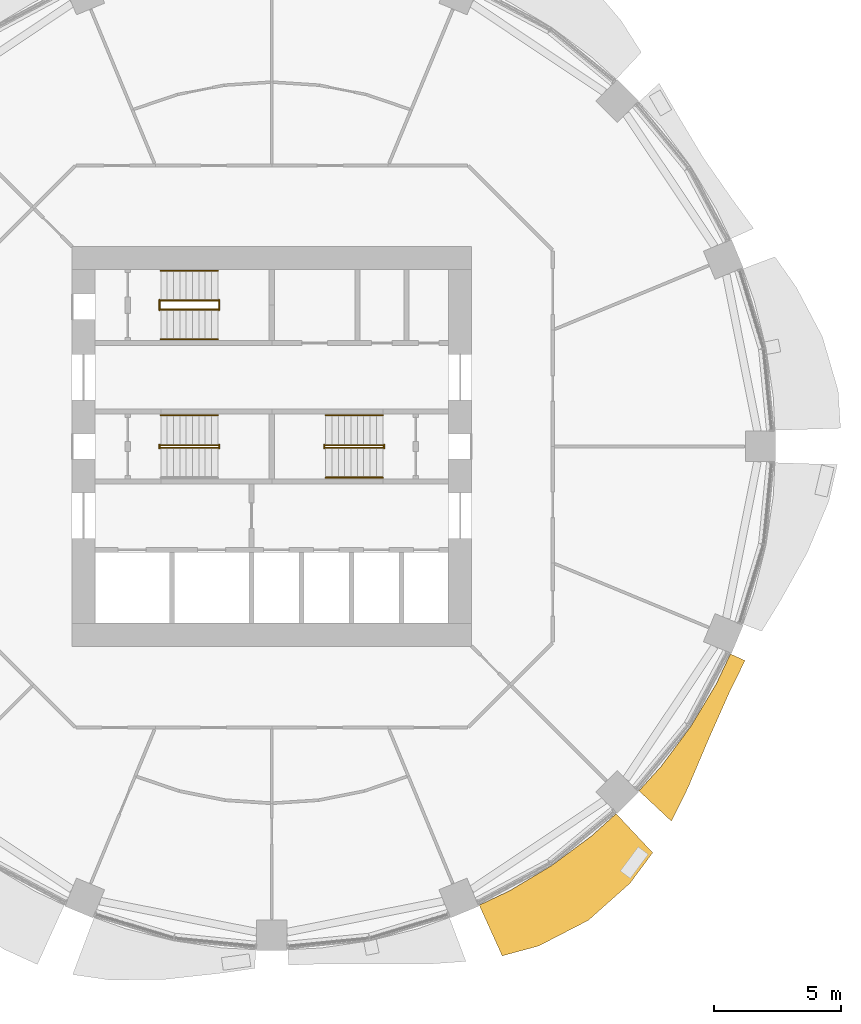
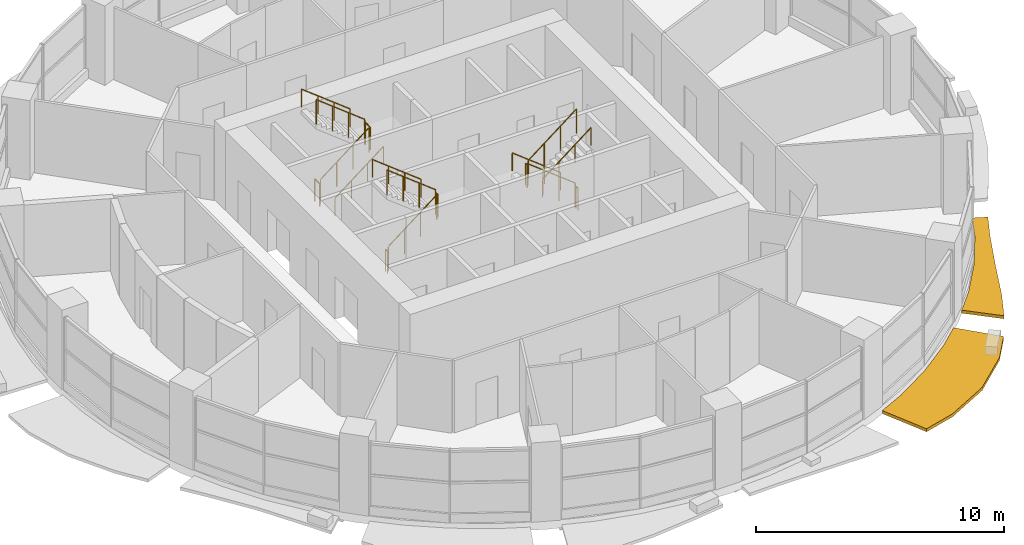
# One storey, part 13 of 15: 17 railings, 2 shading devices.
"""IFC4 building model written with IfcOpenShell, lengths in metres."""

from ifc_helpers import new_model, si_unit, direction, frame, origin, origin_2d, place, context, subcontext, project, spatial, polyline, circle, outline, extrude, material, type_object, element, save


model = new_model("IFC4")

# Units and contexts
model_context = context("Model", 3, precision=1e-05, world=origin(), true_north=direction((0.0, 1.0)))
body_context = subcontext(model_context, "Body", "Model", "MODEL_VIEW")
ifc_project = project(units=[si_unit("LENGTHUNIT", "METRE"), si_unit("AREAUNIT", "SQUARE_METRE"), si_unit("VOLUMEUNIT", "CUBIC_METRE"), si_unit("PLANEANGLEUNIT", "RADIAN"), si_unit("MASSUNIT", "GRAM", prefix="KILO")], contexts=[model_context])

# Site, building, storey
site_placement = place(None, origin())
site = spatial("IfcSite", under=ifc_project, at=site_placement, CompositionType="ELEMENT")
building_placement = place(site_placement, origin())
building = spatial("IfcBuilding", under=site, at=building_placement, Name="Polderwave Tower", CompositionType="ELEMENT")
storey_placement = place(building_placement, frame((0.0, 0.0, 18.5)))
storey = spatial("IfcBuildingStorey", under=building, at=storey_placement, Name="L04", CompositionType="ELEMENT", Elevation=18.5)

# Railings
ifc_material_1 = material(Name="Stainless steel", Category="steel")
railing_type_1 = type_object("IfcRailingType", Name="Stair guard 1100", PredefinedType="GUARDRAIL", material=ifc_material_1)
railing_1_placement = place(storey_placement, frame((-4.3740234375, -0.051025390625, 0.074951171875)))
element("IfcRailing", 1, at=railing_1_placement, inside=storey, type_object=railing_type_1, Name="L04 ST-A stair guard 1", PredefinedType="GUARDRAIL", context=body_context, shape_type="SweptSolid", body=[
    extrude(circle(Radius=0.02392578125, at=origin_2d()), frame((0.0, 0.0, 1.1962890625), z_axis=(0.788522222115, 0.0, 0.615006264384), x_axis=(0.0, 1.0, 0.0)), (0.0, 0.0, 1.0), 2.853515625),
    extrude(circle(Radius=0.02392578125, at=origin_2d()), origin(), (0.0, 0.0, 1.0), 1.172119140625),
    extrude(circle(Radius=0.02392578125, at=origin_2d()), frame((0.75, 0.0, 0.5849609375)), (0.0, 0.0, 1.0), 1.172119140625),
    extrude(circle(Radius=0.02392578125, at=origin_2d()), frame((1.5, 0.0, 1.169921875)), (0.0, 0.0, 1.0), 1.172119140625),
    extrude(circle(Radius=0.02392578125, at=origin_2d()), frame((2.25, 0.0, 1.7548828125)), (0.0, 0.0, 1.0), 1.172119140625),
])
railing_2_placement = place(storey_placement, frame((-2.073974609375, -0.074951171875, 1.949951171875)))
element("IfcRailing", 2, at=railing_2_placement, inside=storey, type_object=railing_type_1, Name="L04 ST-A stair guard 2", PredefinedType="GUARDRAIL", context=body_context, shape_type="SweptSolid", body=[
    extrude(circle(Radius=0.02392578125, at=origin_2d()), frame((0.0, 0.0, 1.076171875), z_axis=(0.0, 1.0, 0.0), x_axis=(-1.0, 0.0, 0.0)), (0.0, 0.0, 1.0), 0.14990234375),
    extrude(circle(Radius=0.02099609375, at=origin_2d()), origin(), (0.0, 0.0, 1.0), 1.052001953125),
    extrude(circle(Radius=0.02099609375, at=origin_2d()), frame((0.0, 0.14990234375, 0.0)), (0.0, 0.0, 1.0), 1.052001953125),
])
railing_3_placement = place(storey_placement, frame((-2.1240234375, 0.051025390625, 2.02490234375)))
element("IfcRailing", 3, at=railing_3_placement, inside=storey, type_object=railing_type_1, Name="L04 ST-A stair guard 3", PredefinedType="GUARDRAIL", context=body_context, shape_type="SweptSolid", body=[
    extrude(circle(Radius=0.02392578125, at=origin_2d()), frame((0.0, 0.0, 1.1962890625), z_axis=(-0.788522222115, 0.0, 0.615006264384), x_axis=(0.0, -1.0, 0.0)), (0.0, 0.0, 1.0), 2.853515625),
    extrude(circle(Radius=0.02392578125, at=origin_2d()), origin(), (0.0, 0.0, 1.0), 1.172119140625),
    extrude(circle(Radius=0.02392578125, at=origin_2d()), frame((-0.75, 0.0, 0.5849609375)), (0.0, 0.0, 1.0), 1.172119140625),
    extrude(circle(Radius=0.02392578125, at=origin_2d()), frame((-1.5, 0.0, 1.169921875)), (0.0, 0.0, 1.0), 1.172119140625),
    extrude(circle(Radius=0.02392578125, at=origin_2d()), frame((-2.25, 0.0, 1.7548828125)), (0.0, 0.0, 1.0), 1.172119140625),
])
railing_4_placement = place(storey_placement, frame((-4.424072265625, -0.074951171875, 0.0)))
element("IfcRailing", 4, at=railing_4_placement, inside=storey, type_object=railing_type_1, Name="L04 ST-A stair guard 4", PredefinedType="GUARDRAIL", context=body_context, shape_type="SweptSolid", body=[
    extrude(circle(Radius=0.02392578125, at=origin_2d()), frame((0.0, 0.0, 1.076171875), z_axis=(0.0, 1.0, 0.0), x_axis=(-1.0, 0.0, 0.0)), (0.0, 0.0, 1.0), 0.14990234375),
    extrude(circle(Radius=0.02099609375, at=origin_2d()), origin(), (0.0, 0.0, 1.0), 1.052001953125),
    extrude(circle(Radius=0.02099609375, at=origin_2d()), frame((0.0, 0.14990234375, 0.0)), (0.0, 0.0, 1.0), 1.052001953125),
])
railing_5_placement = place(storey_placement, frame((4.3740234375, 0.051025390625, 0.074951171875)))
element("IfcRailing", 5, at=railing_5_placement, inside=storey, type_object=railing_type_1, Name="L04 ST-B stair guard 1", PredefinedType="GUARDRAIL", context=body_context, shape_type="SweptSolid", body=[
    extrude(circle(Radius=0.02392578125, at=origin_2d()), frame((0.0, 0.0, 1.1962890625), z_axis=(-0.788522222115, 0.0, 0.615006264384), x_axis=(0.0, -1.0, 0.0)), (0.0, 0.0, 1.0), 2.853515625),
    extrude(circle(Radius=0.02392578125, at=origin_2d()), origin(), (0.0, 0.0, 1.0), 1.172119140625),
    extrude(circle(Radius=0.02392578125, at=origin_2d()), frame((-0.75, 0.0, 0.5849609375)), (0.0, 0.0, 1.0), 1.172119140625),
    extrude(circle(Radius=0.02392578125, at=origin_2d()), frame((-1.5, 0.0, 1.169921875)), (0.0, 0.0, 1.0), 1.172119140625),
    extrude(circle(Radius=0.02392578125, at=origin_2d()), frame((-2.25, 0.0, 1.7548828125)), (0.0, 0.0, 1.0), 1.172119140625),
])
railing_6_placement = place(storey_placement, frame((2.073974609375, 0.074951171875, 1.949951171875)))
element("IfcRailing", 6, at=railing_6_placement, inside=storey, type_object=railing_type_1, Name="L04 ST-B stair guard 2", PredefinedType="GUARDRAIL", context=body_context, shape_type="SweptSolid", body=[
    extrude(circle(Radius=0.02392578125, at=origin_2d()), frame((0.0, 0.0, 1.076171875), z_axis=(0.0, -1.0, 0.0), x_axis=(1.0, 0.0, 0.0)), (0.0, 0.0, 1.0), 0.14990234375),
    extrude(circle(Radius=0.02099609375, at=origin_2d()), origin(), (0.0, 0.0, 1.0), 1.052001953125),
    extrude(circle(Radius=0.02099609375, at=origin_2d()), frame((0.0, -0.14990234375, 0.0)), (0.0, 0.0, 1.0), 1.052001953125),
])
railing_7_placement = place(storey_placement, frame((2.1240234375, -0.051025390625, 2.02490234375)))
element("IfcRailing", 7, at=railing_7_placement, inside=storey, type_object=railing_type_1, Name="L04 ST-B stair guard 3", PredefinedType="GUARDRAIL", context=body_context, shape_type="SweptSolid", body=[
    extrude(circle(Radius=0.02392578125, at=origin_2d()), frame((0.0, 0.0, 1.1962890625), z_axis=(0.788522222115, 0.0, 0.615006264384), x_axis=(0.0, 1.0, 0.0)), (0.0, 0.0, 1.0), 2.853515625),
    extrude(circle(Radius=0.02392578125, at=origin_2d()), origin(), (0.0, 0.0, 1.0), 1.172119140625),
    extrude(circle(Radius=0.02392578125, at=origin_2d()), frame((0.75, 0.0, 0.5849609375)), (0.0, 0.0, 1.0), 1.172119140625),
    extrude(circle(Radius=0.02392578125, at=origin_2d()), frame((1.5, 0.0, 1.169921875)), (0.0, 0.0, 1.0), 1.172119140625),
    extrude(circle(Radius=0.02392578125, at=origin_2d()), frame((2.25, 0.0, 1.7548828125)), (0.0, 0.0, 1.0), 1.172119140625),
])
railing_8_placement = place(storey_placement, frame((4.424072265625, 0.074951171875, 0.0)))
element("IfcRailing", 8, at=railing_8_placement, inside=storey, type_object=railing_type_1, Name="L04 ST-B stair guard 4", PredefinedType="GUARDRAIL", context=body_context, shape_type="SweptSolid", body=[
    extrude(circle(Radius=0.02392578125, at=origin_2d()), frame((0.0, 0.0, 1.076171875), z_axis=(0.0, -1.0, 0.0), x_axis=(1.0, 0.0, 0.0)), (0.0, 0.0, 1.0), 0.14990234375),
    extrude(circle(Radius=0.02099609375, at=origin_2d()), origin(), (0.0, 0.0, 1.0), 1.052001953125),
    extrude(circle(Radius=0.02099609375, at=origin_2d()), frame((0.0, -0.14990234375, 0.0)), (0.0, 0.0, 1.0), 1.052001953125),
])
railing_9_placement = place(storey_placement, frame((-4.3740234375, 5.39794921875, 0.074951171875)))
element("IfcRailing", 9, at=railing_9_placement, inside=storey, type_object=railing_type_1, Name="L04 ST-C stair guard 1", PredefinedType="GUARDRAIL", context=body_context, shape_type="SweptSolid", body=[
    extrude(circle(Radius=0.02392578125, at=origin_2d()), frame((0.0, 0.0, 1.1962890625), z_axis=(0.788522222115, 0.0, 0.615006264384), x_axis=(0.0, 1.0, 0.0)), (0.0, 0.0, 1.0), 2.853515625),
    extrude(circle(Radius=0.02392578125, at=origin_2d()), origin(), (0.0, 0.0, 1.0), 1.172119140625),
    extrude(circle(Radius=0.02392578125, at=origin_2d()), frame((0.75, 0.0, 0.5849609375)), (0.0, 0.0, 1.0), 1.172119140625),
    extrude(circle(Radius=0.02392578125, at=origin_2d()), frame((1.5, 0.0, 1.169921875)), (0.0, 0.0, 1.0), 1.172119140625),
    extrude(circle(Radius=0.02392578125, at=origin_2d()), frame((2.25, 0.0, 1.7548828125)), (0.0, 0.0, 1.0), 1.172119140625),
])
railing_10_placement = place(storey_placement, frame((-2.073974609375, 5.3740234375, 1.949951171875)))
element("IfcRailing", 10, at=railing_10_placement, inside=storey, type_object=railing_type_1, Name="L04 ST-C stair guard 2", PredefinedType="GUARDRAIL", context=body_context, shape_type="SweptSolid", body=[
    extrude(circle(Radius=0.02392578125, at=origin_2d()), frame((0.0, 0.0, 1.076171875), z_axis=(0.0, 1.0, 0.0), x_axis=(-1.0, 0.0, 0.0)), (0.0, 0.0, 1.0), 0.39990234375),
    extrude(circle(Radius=0.02099609375, at=origin_2d()), origin(), (0.0, 0.0, 1.0), 1.052001953125),
    extrude(circle(Radius=0.02099609375, at=origin_2d()), frame((0.0, 0.39990234375, 0.0)), (0.0, 0.0, 1.0), 1.052001953125),
])
railing_11_placement = place(storey_placement, frame((-2.1240234375, 5.75, 2.02490234375)))
element("IfcRailing", 11, at=railing_11_placement, inside=storey, type_object=railing_type_1, Name="L04 ST-C stair guard 3", PredefinedType="GUARDRAIL", context=body_context, shape_type="SweptSolid", body=[
    extrude(circle(Radius=0.02392578125, at=origin_2d()), frame((0.0, 0.0, 1.1962890625), z_axis=(-0.788522222115, 0.0, 0.615006264384), x_axis=(0.0, -1.0, 0.0)), (0.0, 0.0, 1.0), 2.853515625),
    extrude(circle(Radius=0.02392578125, at=origin_2d()), origin(), (0.0, 0.0, 1.0), 1.172119140625),
    extrude(circle(Radius=0.02392578125, at=origin_2d()), frame((-0.75, 0.0, 0.5849609375)), (0.0, 0.0, 1.0), 1.172119140625),
    extrude(circle(Radius=0.02392578125, at=origin_2d()), frame((-1.5, 0.0, 1.169921875)), (0.0, 0.0, 1.0), 1.172119140625),
    extrude(circle(Radius=0.02392578125, at=origin_2d()), frame((-2.25, 0.0, 1.7548828125)), (0.0, 0.0, 1.0), 1.172119140625),
])
railing_12_placement = place(storey_placement, frame((-4.424072265625, 5.3740234375, 0.0)))
element("IfcRailing", 12, at=railing_12_placement, inside=storey, type_object=railing_type_1, Name="L04 ST-C stair guard 4", PredefinedType="GUARDRAIL", context=body_context, shape_type="SweptSolid", body=[
    extrude(circle(Radius=0.02392578125, at=origin_2d()), frame((0.0, 0.0, 1.076171875), z_axis=(0.0, 1.0, 0.0), x_axis=(-1.0, 0.0, 0.0)), (0.0, 0.0, 1.0), 0.39990234375),
    extrude(circle(Radius=0.02099609375, at=origin_2d()), origin(), (0.0, 0.0, 1.0), 1.052001953125),
    extrude(circle(Radius=0.02099609375, at=origin_2d()), frame((0.0, 0.39990234375, 0.0)), (0.0, 0.0, 1.0), 1.052001953125),
])
railing_type_2 = type_object("IfcRailingType", Name="Stair handrail 900", PredefinedType="HANDRAIL", material=ifc_material_1)
for number, where, name in (
    (13, (-2.1240234375, 1.22509765625, 2.14501953125), "L04 ST-A stair handrail 2"),
    (14, (4.3740234375, 1.22509765625, 0.195068359375), "L04 ST-B stair handrail 1"),
):
    element("IfcRailing", number, at=place(storey_placement, frame(where)), inside=storey, type_object=railing_type_2, Name=name, PredefinedType="HANDRAIL", context=body_context, shape_type="SweptSolid", body=[
        extrude(circle(Radius=0.02392578125, at=origin_2d()), frame((0.0, 0.0, 0.8759765625), z_axis=(-0.788522222115, 0.0, 0.615006264384), x_axis=(0.0, -1.0, 0.0)), (0.0, 0.0, 1.0), 2.853515625),
        extrude(circle(Radius=0.02099609375, at=origin_2d()), origin(), (0.0, 0.0, 1.0), 0.851806640625),
        extrude(circle(Radius=0.02099609375, at=origin_2d()), frame((-0.75, 0.0, 0.5849609375)), (0.0, 0.0, 1.0), 0.851806640625),
        extrude(circle(Radius=0.02099609375, at=origin_2d()), frame((-1.5, 0.0, 1.169921875)), (0.0, 0.0, 1.0), 0.851806640625),
        extrude(circle(Radius=0.02099609375, at=origin_2d()), frame((-2.25, 0.0, 1.7548828125)), (0.0, 0.0, 1.0), 0.851806640625),
    ])
for number, where, name in (
    (15, (2.1240234375, -1.22509765625, 2.14501953125), "L04 ST-B stair handrail 2"),
    (16, (-4.3740234375, 4.22412109375, 0.195068359375), "L04 ST-C stair handrail 1"),
):
    element("IfcRailing", number, at=place(storey_placement, frame(where)), inside=storey, type_object=railing_type_2, Name=name, PredefinedType="HANDRAIL", context=body_context, shape_type="SweptSolid", body=[
        extrude(circle(Radius=0.02392578125, at=origin_2d()), frame((0.0, 0.0, 0.8759765625), z_axis=(0.788522222115, 0.0, 0.615006264384), x_axis=(0.0, 1.0, 0.0)), (0.0, 0.0, 1.0), 2.853515625),
        extrude(circle(Radius=0.02099609375, at=origin_2d()), origin(), (0.0, 0.0, 1.0), 0.851806640625),
        extrude(circle(Radius=0.02099609375, at=origin_2d()), frame((0.75, 0.0, 0.5849609375)), (0.0, 0.0, 1.0), 0.851806640625),
        extrude(circle(Radius=0.02099609375, at=origin_2d()), frame((1.5, 0.0, 1.169921875)), (0.0, 0.0, 1.0), 0.851806640625),
        extrude(circle(Radius=0.02099609375, at=origin_2d()), frame((2.25, 0.0, 1.7548828125)), (0.0, 0.0, 1.0), 0.851806640625),
    ])
railing_13_placement = place(storey_placement, frame((-2.1240234375, 6.924072265625, 2.14501953125)))
element("IfcRailing", 17, at=railing_13_placement, inside=storey, type_object=railing_type_2, Name="L04 ST-C stair handrail 2", PredefinedType="HANDRAIL", context=body_context, shape_type="SweptSolid", body=[
    extrude(circle(Radius=0.02392578125, at=origin_2d()), frame((0.0, 0.0, 0.8759765625), z_axis=(-0.788522222115, 0.0, 0.615006264384), x_axis=(0.0, -1.0, 0.0)), (0.0, 0.0, 1.0), 2.853515625),
    extrude(circle(Radius=0.02099609375, at=origin_2d()), origin(), (0.0, 0.0, 1.0), 0.851806640625),
    extrude(circle(Radius=0.02099609375, at=origin_2d()), frame((-0.75, 0.0, 0.5849609375)), (0.0, 0.0, 1.0), 0.851806640625),
    extrude(circle(Radius=0.02099609375, at=origin_2d()), frame((-1.5, 0.0, 1.169921875)), (0.0, 0.0, 1.0), 0.851806640625),
    extrude(circle(Radius=0.02099609375, at=origin_2d()), frame((-2.25, 0.0, 1.7548828125)), (0.0, 0.0, 1.0), 0.851806640625),
])

# Shading devices
ifc_material_2 = material(Name="Terracotta", Category="masonry")
shading_device_type = type_object("IfcShadingDeviceType", Name="Terracotta sunshade band", PredefinedType="USERDEFINED", material=ifc_material_2)
shading_device_1_placement = place(storey_placement, frame((0.0, 0.0, -0.39990234375)))
element("IfcShadingDevice", 18, at=shading_device_1_placement, inside=storey, type_object=shading_device_type, Name="Sunshade band L04 14", ObjectType="SUNSHADE", PredefinedType="USERDEFINED", context=body_context, shape_type="SweptSolid", body=[
    extrude(outline(polyline([(8.177001953125, -18.0751953125), (9.36181640625, -17.514892578125), (11.03369140625, -16.512939453125), (12.59912109375, -15.35205078125), (13.5703125, -14.4716796875), (15.0126953125, -16.010009765625), (14.12255859375, -17.20849609375), (12.477294921875, -18.673583984375), (10.521240234375, -19.68359375), (9.081787109375, -20.0751953125), (8.177001953125, -18.0751953125)])), origin(), (0.0, 0.0, 1.0), 0.14990234375),
])
shading_device_2_placement = place(storey_placement, frame((0.0, 0.0, -0.39990234375)))
element("IfcShadingDevice", 19, at=shading_device_2_placement, inside=storey, type_object=shading_device_type, Name="Sunshade band L04 15", ObjectType="SUNSHADE", PredefinedType="USERDEFINED", context=body_context, shape_type="SweptSolid", body=[
    extrude(outline(polyline([(14.4716796875, -13.5703125), (15.35205078125, -12.59912109375), (16.512939453125, -11.03369140625), (17.514892578125, -9.36181640625), (18.0751953125, -8.177001953125), (18.650634765625, -8.4375), (18.05322265625, -9.649658203125), (17.2255859375, -11.510009765625), (16.39892578125, -13.458251953125), (15.74658203125, -14.765380859375), (14.4716796875, -13.5703125)])), origin(), (0.0, 0.0, 1.0), 0.14990234375),
])

save(model, "model.ifc")
